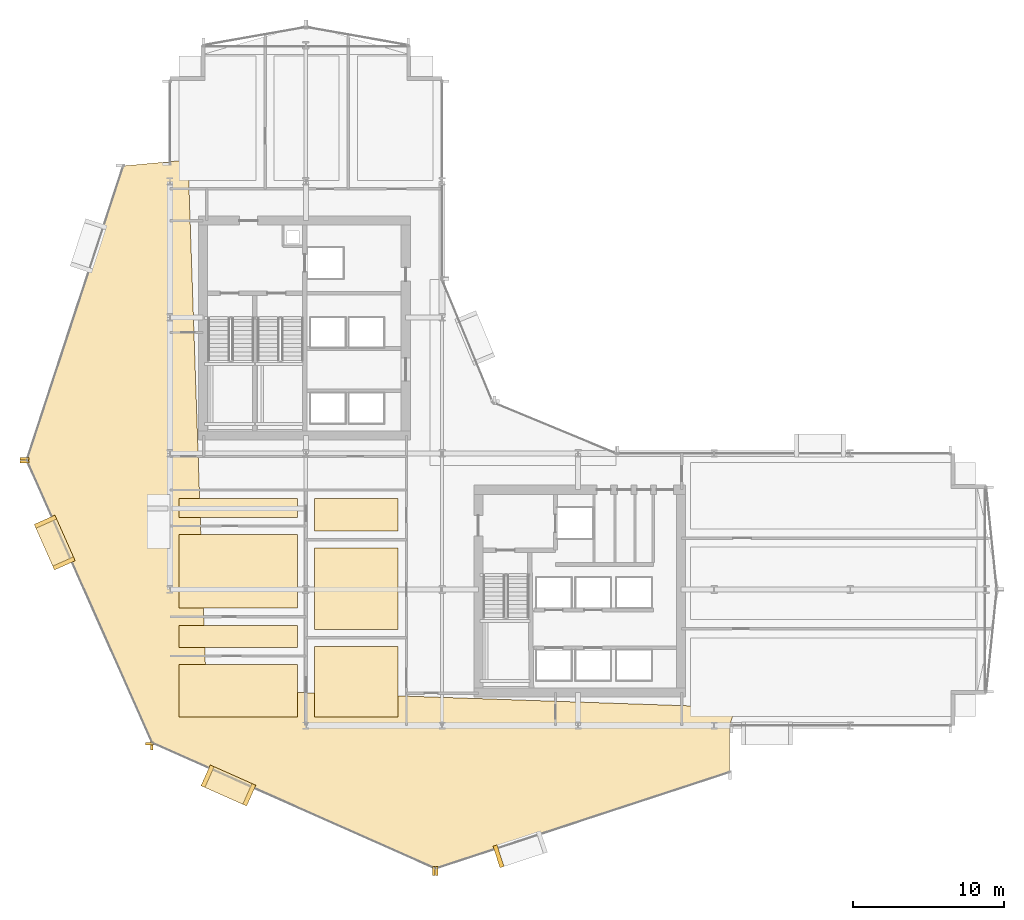
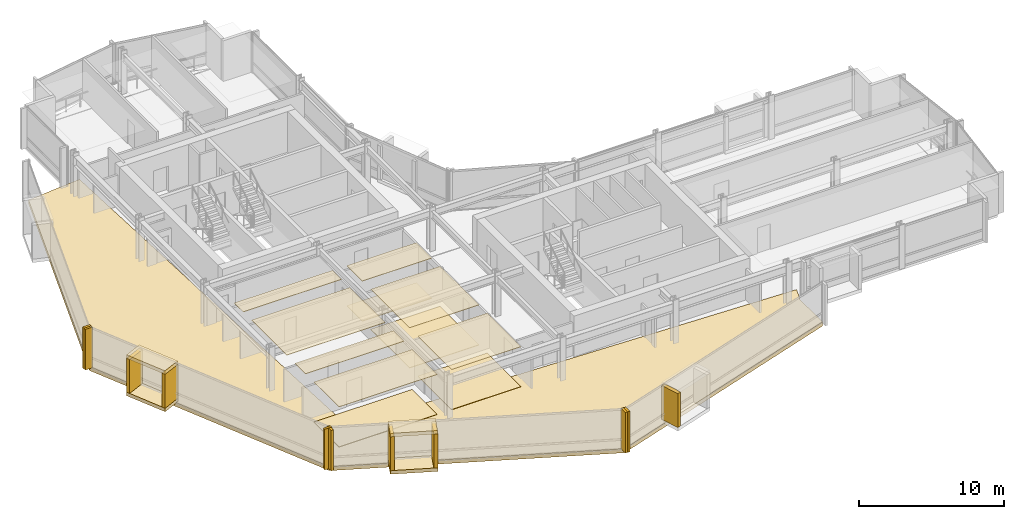
# One storey, part 30 of 34: 27 coverings.
"""IFC4 building model written with IfcOpenShell, lengths in metres."""

from ifc_helpers import new_model, si_unit, direction, frame, origin, origin_2d, place, context, subcontext, project, spatial, polyline, rectangle, outline, extrude, material, layer, layer_set, type_object, element, save


model = new_model("IFC4")

# Units and contexts
model_context = context("Model", 3, precision=1e-05, world=origin(), true_north=direction((0.0, 1.0)))
body_context = subcontext(model_context, "Body", "Model", "MODEL_VIEW")
ifc_project = project(units=[si_unit("LENGTHUNIT", "METRE"), si_unit("AREAUNIT", "SQUARE_METRE"), si_unit("VOLUMEUNIT", "CUBIC_METRE"), si_unit("PLANEANGLEUNIT", "RADIAN"), si_unit("MASSUNIT", "GRAM", prefix="KILO")], contexts=[model_context])

# Site, building, storey
site_placement = place(None, origin())
site = spatial("IfcSite", under=ifc_project, at=site_placement, CompositionType="ELEMENT")
building_placement = place(site_placement, origin())
building = spatial("IfcBuilding", under=site, at=building_placement, Name="Solvaryn Broadcast Tower", CompositionType="ELEMENT")
storey_placement = place(building_placement, frame((0.0, 0.0, 39.699951171875)))
storey = spatial("IfcBuildingStorey", under=building, at=storey_placement, Name="L08", CompositionType="ELEMENT", Elevation=39.699951171875)

# Coverings
ifc_material_1 = material(Name="Micro-Perforated Acoustic Gypsum Ceiling", Category="concrete")
ifc_layer_1 = layer(ifc_material_1, 0.0400390625)
ifc_layer_set_1 = layer_set([ifc_layer_1], Name="CV-CEIL-ACOUSTIC")
covering_type_1 = type_object("IfcCoveringType", Name="CV-CEIL-ACOUSTIC", PredefinedType="CEILING", material=ifc_layer_set_1)
covering_1_placement = place(storey_placement, frame((0.0, 0.0, 3.380126953125)))
element("IfcCovering", 1, at=covering_1_placement, inside=storey, type_object=covering_type_1, Name="L08 Room Acoustic Ceiling 1", PredefinedType="CEILING", context=body_context, shape_type="SweptSolid", body=[
    extrude(outline(polyline([(18.570068359375, 9.570068359375), (24.10009765625, 9.570068359375), (24.10009765625, 14.22998046875), (18.570068359375, 14.22998046875), (18.570068359375, 9.570068359375)])), origin(), (0.0, 0.0, 1.0), 0.0400390625),
])
covering_2_placement = place(storey_placement, frame((0.0, 0.0, 3.380126953125)))
element("IfcCovering", 2, at=covering_2_placement, inside=storey, type_object=covering_type_1, Name="L08 Room Acoustic Ceiling 2", PredefinedType="CEILING", context=body_context, shape_type="SweptSolid", body=[
    extrude(outline(polyline([(18.570068359375, 15.3701171875), (24.10009765625, 15.3701171875), (24.10009765625, 20.72998046875), (18.570068359375, 20.72998046875), (18.570068359375, 15.3701171875)])), origin(), (0.0, 0.0, 1.0), 0.0400390625),
])
covering_3_placement = place(storey_placement, frame((0.0, 0.0, 3.380126953125)))
element("IfcCovering", 3, at=covering_3_placement, inside=storey, type_object=covering_type_1, Name="L08 Room Acoustic Ceiling 3", PredefinedType="CEILING", context=body_context, shape_type="SweptSolid", body=[
    extrude(outline(polyline([(18.570068359375, 21.8701171875), (24.10009765625, 21.8701171875), (24.10009765625, 24.010009765625), (18.570068359375, 24.010009765625), (18.570068359375, 21.8701171875)])), origin(), (0.0, 0.0, 1.0), 0.0400390625),
])
covering_4_placement = place(storey_placement, frame((0.0, 0.0, 3.380126953125)))
element("IfcCovering", 4, at=covering_4_placement, inside=storey, type_object=covering_type_1, Name="L08 Room Acoustic Ceiling 4", PredefinedType="CEILING", context=body_context, shape_type="SweptSolid", body=[
    extrude(outline(polyline([(9.60009765625, 9.570068359375), (17.429931640625, 9.570068359375), (17.429931640625, 13.030029296875), (9.60009765625, 13.030029296875), (9.60009765625, 9.570068359375)])), origin(), (0.0, 0.0, 1.0), 0.0400390625),
])
covering_5_placement = place(storey_placement, frame((0.0, 0.0, 3.380126953125)))
element("IfcCovering", 5, at=covering_5_placement, inside=storey, type_object=covering_type_1, Name="L08 Room Acoustic Ceiling 5", PredefinedType="CEILING", context=body_context, shape_type="SweptSolid", body=[
    extrude(outline(polyline([(9.60009765625, 14.169921875), (17.429931640625, 14.169921875), (17.429931640625, 15.6298828125), (9.60009765625, 15.6298828125), (9.60009765625, 14.169921875)])), origin(), (0.0, 0.0, 1.0), 0.0400390625),
])
covering_6_placement = place(storey_placement, frame((0.0, 0.0, 3.380126953125)))
element("IfcCovering", 6, at=covering_6_placement, inside=storey, type_object=covering_type_1, Name="L08 Room Acoustic Ceiling 6", PredefinedType="CEILING", context=body_context, shape_type="SweptSolid", body=[
    extrude(outline(polyline([(9.60009765625, 16.77001953125), (17.429931640625, 16.77001953125), (17.429931640625, 21.6298828125), (9.60009765625, 21.6298828125), (9.60009765625, 16.77001953125)])), origin(), (0.0, 0.0, 1.0), 0.0400390625),
])
covering_7_placement = place(storey_placement, frame((0.0, 0.0, 3.380126953125)))
element("IfcCovering", 7, at=covering_7_placement, inside=storey, type_object=covering_type_1, Name="L08 Room Acoustic Ceiling 7", PredefinedType="CEILING", context=body_context, shape_type="SweptSolid", body=[
    extrude(outline(polyline([(9.60009765625, 22.77001953125), (17.429931640625, 22.77001953125), (17.429931640625, 24.010009765625), (9.60009765625, 24.010009765625), (9.60009765625, 22.77001953125)])), origin(), (0.0, 0.0, 1.0), 0.0400390625),
])
ifc_material_2 = material(Name="Newsroom Raised Data Access Flooring", Category="steel")
ifc_layer_2 = layer(ifc_material_2, 0.050048828125)
ifc_layer_set_2 = layer_set([ifc_layer_2], Name="CV-FLOOR-RAISED")
covering_type_2 = type_object("IfcCoveringType", Name="CV-FLOOR-RAISED", PredefinedType="FLOORING", material=ifc_layer_set_2)
covering_8_placement = place(storey_placement, origin())
element("IfcCovering", 8, at=covering_8_placement, inside=storey, type_object=covering_type_2, Name="L08 Room Acoustic Floor Finish 1", PredefinedType="FLOORING", context=body_context, shape_type="SweptSolid", body=[
    extrude(outline(polyline([(18.570068359375, 9.570068359375), (24.10009765625, 9.570068359375), (24.10009765625, 14.22998046875), (18.570068359375, 14.22998046875), (18.570068359375, 9.570068359375)])), origin(), (0.0, 0.0, 1.0), 0.050048828125),
])
covering_9_placement = place(storey_placement, origin())
element("IfcCovering", 9, at=covering_9_placement, inside=storey, type_object=covering_type_2, Name="L08 Room Acoustic Floor Finish 2", PredefinedType="FLOORING", context=body_context, shape_type="SweptSolid", body=[
    extrude(outline(polyline([(18.570068359375, 15.3701171875), (24.10009765625, 15.3701171875), (24.10009765625, 20.72998046875), (18.570068359375, 20.72998046875), (18.570068359375, 15.3701171875)])), origin(), (0.0, 0.0, 1.0), 0.050048828125),
])
covering_10_placement = place(storey_placement, origin())
element("IfcCovering", 10, at=covering_10_placement, inside=storey, type_object=covering_type_2, Name="L08 Room Acoustic Floor Finish 3", PredefinedType="FLOORING", context=body_context, shape_type="SweptSolid", body=[
    extrude(outline(polyline([(18.570068359375, 21.8701171875), (24.10009765625, 21.8701171875), (24.10009765625, 24.010009765625), (18.570068359375, 24.010009765625), (18.570068359375, 21.8701171875)])), origin(), (0.0, 0.0, 1.0), 0.050048828125),
])
covering_11_placement = place(storey_placement, origin())
element("IfcCovering", 11, at=covering_11_placement, inside=storey, type_object=covering_type_2, Name="L08 Room Acoustic Floor Finish 4", PredefinedType="FLOORING", context=body_context, shape_type="SweptSolid", body=[
    extrude(outline(polyline([(9.60009765625, 9.570068359375), (17.429931640625, 9.570068359375), (17.429931640625, 13.030029296875), (9.60009765625, 13.030029296875), (9.60009765625, 9.570068359375)])), origin(), (0.0, 0.0, 1.0), 0.050048828125),
])
ifc_material_3 = material(Name="Glazed Architectural Terracotta Rainscreen Cladding", Category="masonry")
ifc_layer_3 = layer(ifc_material_3, 0.280029296875)
ifc_layer_set_3 = layer_set([ifc_layer_3], Name="CV-TC-CLAD")
covering_type_3 = type_object("IfcCoveringType", Name="CV-TC-CLAD", PredefinedType="CLADDING", material=ifc_layer_set_3)
for number, where, z_axis, x_axis, name in (
    (12, (1.37890625, 21.10498046875, 3.1298828125), (0.0, 0.0, 1.0), (0.405939269498, -0.913900054426, 0.0), "L08 Projecting Stone Window Box Hood 2"),
    (13, (1.37890625, 21.10498046875, -0.009765625), (0.0, 0.0, 1.0), (0.405939269498, -0.913900054426, 0.0), "L08 Projecting Stone Window Box Sill 2"),
):
    element("IfcCovering", number, at=place(storey_placement, frame(where, z_axis=z_axis, x_axis=x_axis)), inside=storey, type_object=covering_type_3, Name=name, PredefinedType="CLADDING", context=body_context, shape_type="SweptSolid", body=[
        extrude(rectangle(XDim=3.300048828125, YDim=1.5, at=origin_2d()), origin(), (0.0, 0.0, 1.0), 0.300048828125),
    ])
for number, where, z_axis, x_axis, name in (
    (14, (0.76611328125, 22.485107421875, 0.27978515625), (0.0, 0.0, 1.0), (0.405939269498, -0.913900054426, 0.0), "L08 Projecting Stone Window Box Cheek 2-1"),
    (15, (1.991943359375, 19.72509765625, 0.27978515625), (0.0, 0.0, 1.0), (0.405939269498, -0.913900054426, 0.0), "L08 Projecting Stone Window Box Cheek 2-2"),
):
    element("IfcCovering", number, at=place(storey_placement, frame(where, z_axis=z_axis, x_axis=x_axis)), inside=storey, type_object=covering_type_3, Name=name, PredefinedType="CLADDING", context=body_context, shape_type="SweptSolid", body=[
        extrude(rectangle(XDim=0.280029296875, YDim=1.5, at=origin_2d()), origin(), (0.0, 0.0, 1.0), 2.860107421875),
    ])
for number, where, z_axis, x_axis, name in (
    (16, (12.8720703125, 5.035888671875, 3.1298828125), (0.0, 0.0, 1.0), (0.913900054426, -0.405939269498, 0.0), "L08 Projecting Stone Window Box Hood 3"),
    (17, (12.8720703125, 5.035888671875, -0.009765625), (0.0, 0.0, 1.0), (0.913900054426, -0.405939269498, 0.0), "L08 Projecting Stone Window Box Sill 3"),
):
    element("IfcCovering", number, at=place(storey_placement, frame(where, z_axis=z_axis, x_axis=x_axis)), inside=storey, type_object=covering_type_3, Name=name, PredefinedType="CLADDING", context=body_context, shape_type="SweptSolid", body=[
        extrude(rectangle(XDim=3.300048828125, YDim=1.5, at=origin_2d()), origin(), (0.0, 0.0, 1.0), 0.300048828125),
    ])
for number, where, z_axis, x_axis, name in (
    (18, (11.491943359375, 5.64892578125, 0.27978515625), (0.0, 0.0, 1.0), (0.913900054426, -0.405939269498, 0.0), "L08 Projecting Stone Window Box Cheek 3-1"),
    (19, (14.251953125, 4.423095703125, 0.27978515625), (0.0, 0.0, 1.0), (0.913900054426, -0.405939269498, 0.0), "L08 Projecting Stone Window Box Cheek 3-2"),
    (20, (30.73828125, 0.348388671875, 0.27978515625), (0.0, 0.0, 1.0), (0.950189870912, 0.311671636848, 0.0), "L08 Projecting Stone Window Box Cheek 4-1"),
):
    element("IfcCovering", number, at=place(storey_placement, frame(where, z_axis=z_axis, x_axis=x_axis)), inside=storey, type_object=covering_type_3, Name=name, PredefinedType="CLADDING", context=body_context, shape_type="SweptSolid", body=[
        extrude(rectangle(XDim=0.280029296875, YDim=1.5, at=origin_2d()), origin(), (0.0, 0.0, 1.0), 2.860107421875),
    ])
ifc_material_4 = material(Name="Extruded Architectural Terracotta Fin", Category="masonry")
ifc_layer_4 = layer(ifc_material_4, 0.179931640625)
ifc_layer_set_4 = layer_set([ifc_layer_4], Name="CV-TC-FIN")
covering_type_4 = type_object("IfcCoveringType", Name="CV-TC-FIN", PredefinedType="USERDEFINED", material=ifc_layer_set_4)
for number, where, z_axis, x_axis, name in (
    (21, (-0.625732421875, 26.644775390625, 0.0), (0.0, 0.0, 1.0), (1.0, 0.0, 0.0), "L08 Terracotta Vertical Fin FIN-L08-DR1-M01"),
    (22, (-0.6162109375, 26.459716796875, 0.0), (0.0, 0.0, 1.0), (1.0, 0.0, 0.0), "L08 Terracotta Vertical Fin FIN-L08-DR2-M00"),
    (23, (7.670654296875, 7.8017578125, 0.0), (0.0, 0.0, 1.0), (1.0, 0.0, 0.0), "L08 Terracotta Vertical Fin FIN-L08-DR2-M01"),
):
    element("IfcCovering", number, at=place(storey_placement, frame(where, z_axis=z_axis, x_axis=x_axis)), inside=storey, type_object=covering_type_4, Name=name, ObjectType="FIN", PredefinedType="USERDEFINED", context=body_context, shape_type="SweptSolid", body=[
        extrude(rectangle(XDim=0.580078125, YDim=0.179931640625, at=origin_2d()), origin(), (0.0, 0.0, 1.0), 3.419921875),
    ])
for number, where, z_axis, x_axis, name in (
    (24, (7.8017578125, 7.670654296875, 0.0), (0.0, 0.0, 1.0), (1.0, 0.0, 0.0), "L08 Terracotta Vertical Fin FIN-L08-DR3-M00"),
    (25, (26.459716796875, -0.6162109375, 0.0), (0.0, 0.0, 1.0), (1.0, 0.0, 0.0), "L08 Terracotta Vertical Fin FIN-L08-DR3-M01"),
    (26, (26.644775390625, -0.625732421875, 0.0), (0.0, 0.0, 1.0), (1.0, 0.0, 0.0), "L08 Terracotta Vertical Fin FIN-L08-DR4-M00"),
):
    element("IfcCovering", number, at=place(storey_placement, frame(where, z_axis=z_axis, x_axis=x_axis)), inside=storey, type_object=covering_type_4, Name=name, ObjectType="FIN", PredefinedType="USERDEFINED", context=body_context, shape_type="SweptSolid", body=[
        extrude(rectangle(XDim=0.179931640625, YDim=0.580078125, at=origin_2d()), origin(), (0.0, 0.0, 1.0), 3.419921875),
    ])
ifc_material_5 = material(Name="Sculpted Architectural Terracotta Wave Fascia", Category="masonry")
ifc_layer_5 = layer(ifc_material_5, 0.340087890625)
ifc_layer_set_5 = layer_set([ifc_layer_5], Name="CV-WAVE-TRAY")
covering_type_5 = type_object("IfcCoveringType", Name="CV-WAVE-TRAY", PredefinedType="CLADDING", material=ifc_layer_set_5)
covering_12_placement = place(storey_placement, frame((0.0, 0.0, -0.300048828125)))
element("IfcCovering", 27, at=covering_12_placement, inside=storey, type_object=covering_type_5, Name="L08 Stepped Cylindrical Drum Floor Apron", PredefinedType="CLADDING", context=body_context, shape_type="SweptSolid", body=[
    extrude(outline(polyline([(10.199951171875, 46.416015625), (5.916015625, 46.01611328125), (-0.464111328125, 26.56005859375), (7.846923828125, 7.846923828125), (26.56005859375, -0.464111328125), (46.01611328125, 5.916015625), (46.01611328125, 9.0), (46.416015625, 10.199951171875), (11.39990234375, 11.39990234375), (10.199951171875, 46.416015625)])), origin(), (0.0, 0.0, 1.0), 0.330078125),
])

save(model, "model.ifc")
